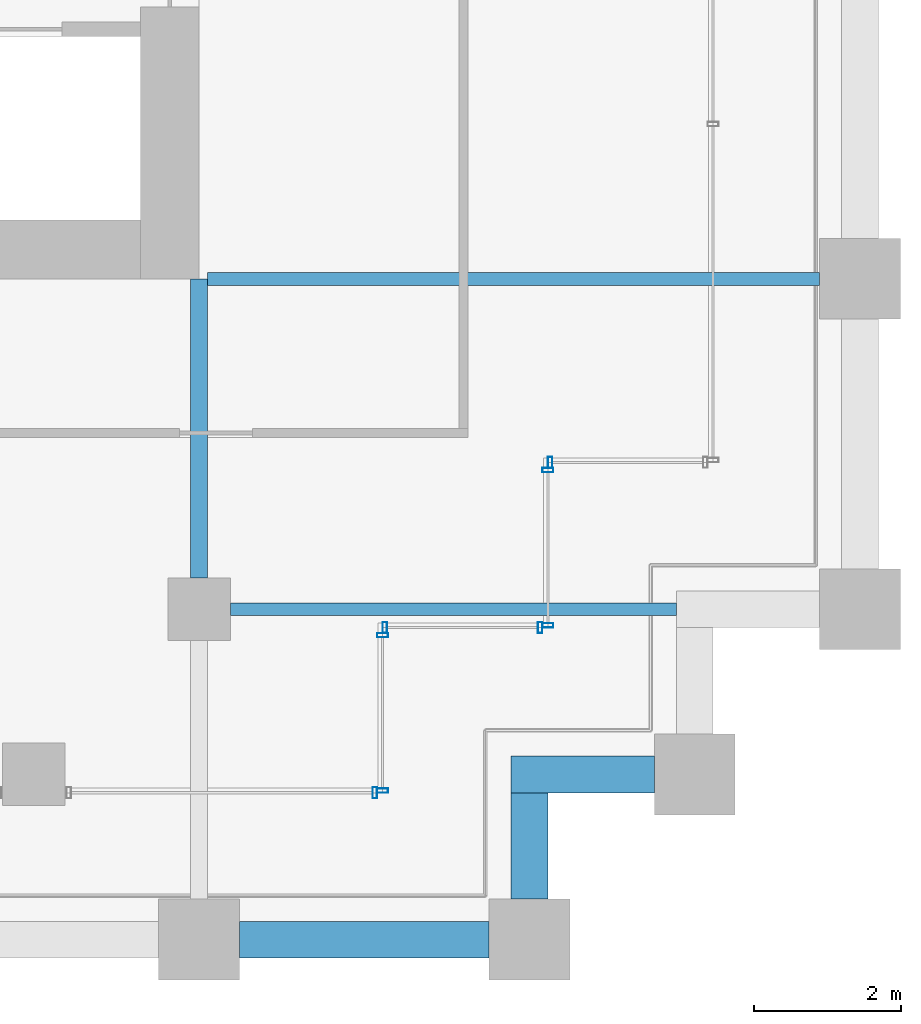
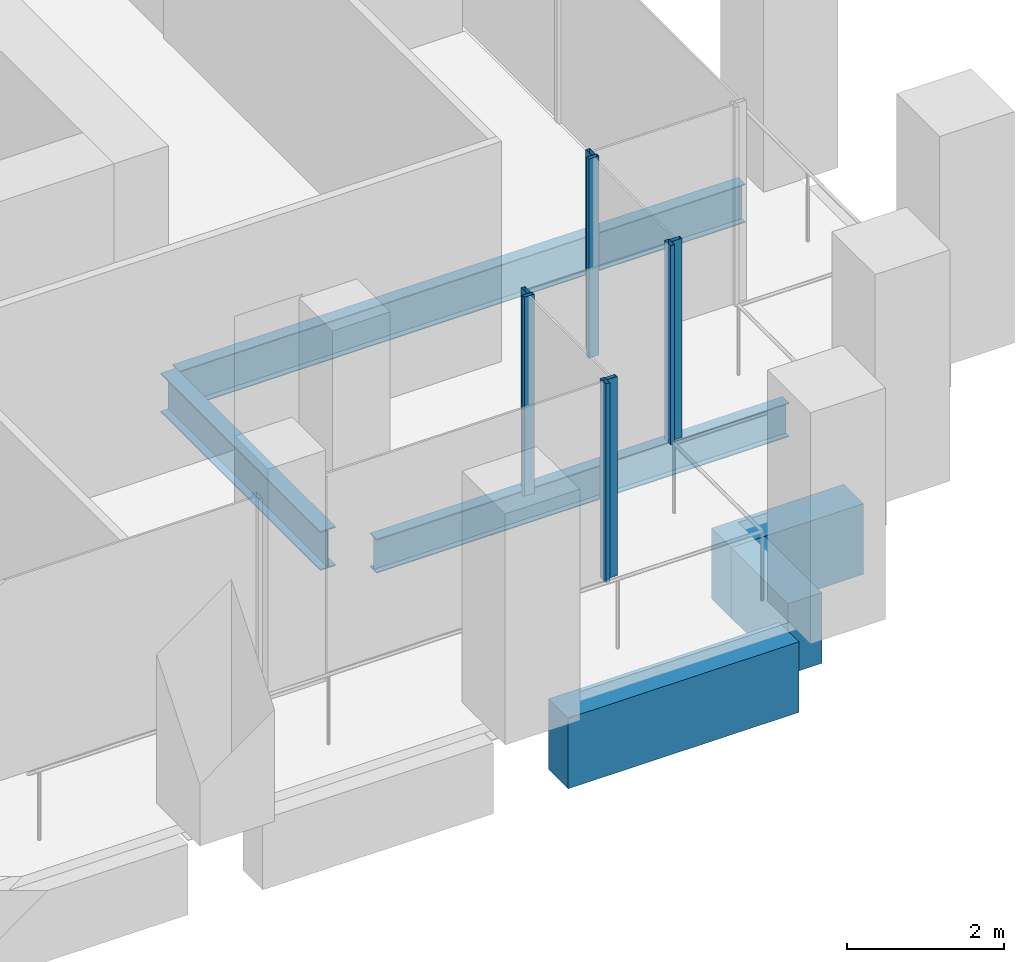
# One storey, part 38 of 56: 8 members, 6 beams, 5 elements without a shape of their own.
"""IFC4 building model written with IfcOpenShell, lengths in metres."""

from ifc_helpers import new_model, si_unit, direction, frame, origin, origin_2d, place, context, subcontext, project, spatial, rectangle, hollow_rectangle, i_section, extrude, material, material_profile, profile_set, type_object, element, aggregate, save


model = new_model("IFC4")

# Units and contexts
model_context = context("Model", 3, precision=1e-05, world=origin(), true_north=direction((0.0, 1.0)))
body_context = subcontext(model_context, "Body", "Model", "MODEL_VIEW")
ifc_project = project(units=[si_unit("LENGTHUNIT", "METRE"), si_unit("AREAUNIT", "SQUARE_METRE"), si_unit("VOLUMEUNIT", "CUBIC_METRE"), si_unit("PLANEANGLEUNIT", "RADIAN"), si_unit("MASSUNIT", "GRAM", prefix="KILO")], contexts=[model_context])

# Site, building, storey
site_placement = place(None, origin())
site = spatial("IfcSite", under=ifc_project, at=site_placement, CompositionType="ELEMENT")
building_placement = place(site_placement, origin())
building = spatial("IfcBuilding", under=site, at=building_placement, Name="Altepetl Exchange Towers", CompositionType="ELEMENT")
storey_placement = place(building_placement, frame((0.0, 0.0, 76.199951171875)))
storey = spatial("IfcBuildingStorey", under=building, at=storey_placement, Name="L18", CompositionType="ELEMENT", Elevation=76.199951171875)

# Beams
ifc_material_1 = material(Name="Steel S355", Category="steel")
ifc_material_profile_1 = material_profile(ifc_material_1, i_section(OverallWidth=0.166015625, OverallDepth=0.529052734375, WebThickness=0.009765625, FlangeThickness=0.013671875, at=origin_2d()), Name="W21X50")
ifc_profile_set_1 = profile_set([ifc_material_profile_1], Name="Steel S355")
beam_type_1 = type_object("IfcBeamType", Name="Floor beam W21X50", PredefinedType="BEAM", material=ifc_profile_set_1)
beam_1_placement = place(storey_placement, frame((117.425048828125, 31.5, -0.41455078125), z_axis=(1.0, 0.0, 0.0), x_axis=(0.0, 1.0, 0.0)))
element("IfcBeam", 1, at=beam_1_placement, inside=storey, type_object=beam_type_1, Name="bm:B:L18:004", PredefinedType="BEAM", context=body_context, shape_type="SweptSolid", body=[
    extrude(i_section(OverallWidth=0.166015625, OverallDepth=0.529052734375, WebThickness=0.009765625, FlangeThickness=0.013671875, at=origin_2d()), origin(), (0.0, 0.0, 1.0), 6.074951171875),
])
ifc_material_profile_2 = material_profile(ifc_material_1, i_section(OverallWidth=0.177978515625, OverallDepth=0.59912109375, WebThickness=0.010009765625, FlangeThickness=0.0126953125, at=origin_2d()), Name="W24X55")
ifc_profile_set_2 = profile_set([ifc_material_profile_2], Name="Steel S355")
beam_type_2 = type_object("IfcBeamType", Name="Floor beam W24X55", PredefinedType="BEAM", material=ifc_profile_set_2)
beam_2_placement = place(storey_placement, frame((117.114013671875, 36.0, -0.449462890625), z_axis=(1.0, 0.0, 0.0), x_axis=(0.0, 1.0, 0.0)))
element("IfcBeam", 2, at=beam_2_placement, inside=storey, type_object=beam_type_2, Name="bm:B:L18:005", PredefinedType="BEAM", context=body_context, shape_type="SweptSolid", body=[
    extrude(i_section(OverallWidth=0.177978515625, OverallDepth=0.59912109375, WebThickness=0.010009765625, FlangeThickness=0.0126953125, at=origin_2d()), origin(), (0.0, 0.0, 1.0), 8.3359375),
])
ifc_material_profile_3 = material_profile(ifc_material_1, i_section(OverallWidth=0.22802734375, OverallDepth=0.60791015625, WebThickness=0.01123046875, FlangeThickness=0.017333984375, at=origin_2d()), Name="W24X76")
ifc_profile_set_3 = profile_set([ifc_material_profile_3], Name="Steel S355")
beam_type_3 = type_object("IfcBeamType", Name="Girder W24X76", PredefinedType="BEAM", material=ifc_profile_set_3)
beam_3_placement = place(storey_placement, frame((117.0, 36.0, -0.453857421875), z_axis=(0.0, -1.0, 0.0), x_axis=(1.0, 0.0, 0.0)))
element("IfcBeam", 3, at=beam_3_placement, inside=storey, type_object=beam_type_3, Name="gd:B:L18:004", PredefinedType="BEAM", context=body_context, shape_type="SweptSolid", body=[
    extrude(i_section(OverallWidth=0.22802734375, OverallDepth=0.60791015625, WebThickness=0.01123046875, FlangeThickness=0.017333984375, at=origin_2d()), origin(), (0.0, 0.0, 1.0), 4.074951171875),
])

# Curtain wall, member
ifc_material_2 = material(Name="Aluminium 6063-T6 glazing", Category="aluminium")
curtain_wall_type = type_object("IfcCurtainWallType", Name="Loggia glazing system", PredefinedType="NOTDEFINED", material=ifc_material_2)
curtain_wall_1_placement = place(storey_placement, origin())
curtain_wall_1 = element("IfcCurtainWall", 4, at=curtain_wall_1_placement, inside=storey, type_object=curtain_wall_type, Name="CW1 run", PredefinedType="NOTDEFINED")
ifc_material_3 = material(Name="Aluminium 6063-T6", Category="aluminium")
ifc_material_profile_4 = material_profile(ifc_material_3, hollow_rectangle(XDim=0.06005859375, YDim=0.14990234375, WallThickness=0.0029296875, at=origin_2d()), Name="Mullion 60x150 aluminium")
ifc_profile_set_4 = profile_set([ifc_material_profile_4], Name="Aluminium 6063-T6")
member_type = type_object("IfcMemberType", Name="Mullion 60x150 aluminium", PredefinedType="MULLION", material=ifc_profile_set_4)
member_1_placement = place(storey_placement, frame((119.39501953125, 29.0, 0.0)))
member_1 = element("IfcMember", 5, at=member_1_placement, type_object=member_type, Name="MU1 mullion", PredefinedType="MULLION", context=body_context, shape_type="SweptSolid", body=[
    extrude(hollow_rectangle(XDim=0.06005859375, YDim=0.14990234375, WallThickness=0.0029296875, at=origin_2d()), origin(), (0.0, 0.0, 1.0), 3.10009765625),
])
aggregate(curtain_wall_1, [member_1])

# Curtain wall, members
curtain_wall_2_placement = place(storey_placement, origin())
curtain_wall_2 = element("IfcCurtainWall", 6, at=curtain_wall_2_placement, inside=storey, type_object=curtain_wall_type, Name="CW1 run", PredefinedType="NOTDEFINED")
member_2_placement = place(storey_placement, frame((119.5, 29.030029296875, 0.0), z_axis=(0.0, 0.0, 1.0), x_axis=(0.0, 1.0, 0.0)))
member_2 = element("IfcMember", 7, at=member_2_placement, type_object=member_type, Name="MU1 mullion", PredefinedType="MULLION", context=body_context, shape_type="SweptSolid", body=[
    extrude(hollow_rectangle(XDim=0.06005859375, YDim=0.14990234375, WallThickness=0.0029296875, at=origin_2d()), origin(), (0.0, 0.0, 1.0), 3.10009765625),
])
member_3_placement = place(storey_placement, frame((119.5, 31.14501953125, 0.0), z_axis=(0.0, 0.0, 1.0), x_axis=(0.0, 1.0, 0.0)))
member_3 = element("IfcMember", 8, at=member_3_placement, type_object=member_type, Name="MU1 mullion", PredefinedType="MULLION", context=body_context, shape_type="SweptSolid", body=[
    extrude(hollow_rectangle(XDim=0.06005859375, YDim=0.14990234375, WallThickness=0.0029296875, at=origin_2d()), origin(), (0.0, 0.0, 1.0), 3.10009765625),
])
aggregate(curtain_wall_2, [member_2, member_3])

curtain_wall_3_placement = place(storey_placement, origin())
curtain_wall_3 = element("IfcCurtainWall", 9, at=curtain_wall_3_placement, inside=storey, type_object=curtain_wall_type, Name="CW1 run", PredefinedType="NOTDEFINED")
member_4_placement = place(storey_placement, frame((119.530029296875, 31.25, 0.0)))
member_4 = element("IfcMember", 10, at=member_4_placement, type_object=member_type, Name="MU1 mullion", PredefinedType="MULLION", context=body_context, shape_type="SweptSolid", body=[
    extrude(hollow_rectangle(XDim=0.06005859375, YDim=0.14990234375, WallThickness=0.0029296875, at=origin_2d()), origin(), (0.0, 0.0, 1.0), 3.10009765625),
])
member_5_placement = place(storey_placement, frame((121.64501953125, 31.25, 0.0)))
member_5 = element("IfcMember", 11, at=member_5_placement, type_object=member_type, Name="MU1 mullion", PredefinedType="MULLION", context=body_context, shape_type="SweptSolid", body=[
    extrude(hollow_rectangle(XDim=0.06005859375, YDim=0.14990234375, WallThickness=0.0029296875, at=origin_2d()), origin(), (0.0, 0.0, 1.0), 3.10009765625),
])
aggregate(curtain_wall_3, [member_4, member_5])

curtain_wall_4_placement = place(storey_placement, origin())
curtain_wall_4 = element("IfcCurtainWall", 12, at=curtain_wall_4_placement, inside=storey, type_object=curtain_wall_type, Name="CW1 run", PredefinedType="NOTDEFINED")
member_6_placement = place(storey_placement, frame((121.75, 31.280029296875, 0.0), z_axis=(0.0, 0.0, 1.0), x_axis=(0.0, 1.0, 0.0)))
member_6 = element("IfcMember", 13, at=member_6_placement, type_object=member_type, Name="MU1 mullion", PredefinedType="MULLION", context=body_context, shape_type="SweptSolid", body=[
    extrude(hollow_rectangle(XDim=0.06005859375, YDim=0.14990234375, WallThickness=0.0029296875, at=origin_2d()), origin(), (0.0, 0.0, 1.0), 3.10009765625),
])
member_7_placement = place(storey_placement, frame((121.75, 33.39501953125, 0.0), z_axis=(0.0, 0.0, 1.0), x_axis=(0.0, 1.0, 0.0)))
member_7 = element("IfcMember", 14, at=member_7_placement, type_object=member_type, Name="MU1 mullion", PredefinedType="MULLION", context=body_context, shape_type="SweptSolid", body=[
    extrude(hollow_rectangle(XDim=0.06005859375, YDim=0.14990234375, WallThickness=0.0029296875, at=origin_2d()), origin(), (0.0, 0.0, 1.0), 3.10009765625),
])
aggregate(curtain_wall_4, [member_6, member_7])

# Curtain wall, member
curtain_wall_5_placement = place(storey_placement, origin())
curtain_wall_5 = element("IfcCurtainWall", 15, at=curtain_wall_5_placement, inside=storey, type_object=curtain_wall_type, Name="CW1 run", PredefinedType="NOTDEFINED")
member_8_placement = place(storey_placement, frame((121.780029296875, 33.5, 0.0)))
member_8 = element("IfcMember", 16, at=member_8_placement, type_object=member_type, Name="MU1 mullion", PredefinedType="MULLION", context=body_context, shape_type="SweptSolid", body=[
    extrude(hollow_rectangle(XDim=0.06005859375, YDim=0.14990234375, WallThickness=0.0029296875, at=origin_2d()), origin(), (0.0, 0.0, 1.0), 3.10009765625),
])
aggregate(curtain_wall_5, [member_8])

# Beams
ifc_material_4 = material(Name="Concrete C50/60 precast with cantera blanca facing", Category="concrete")
ifc_material_profile_5 = material_profile(ifc_material_4, rectangle(XDim=0.5, YDim=1.10009765625, at=origin_2d()), Name="500 x 1100")
ifc_profile_set_5 = profile_set([ifc_material_profile_5], Name="Concrete C50/60 precast with cantera blanca facing")
beam_type_4 = type_object("IfcBeamType", Name="Spandrel beam 500x1100 cantera blanca", PredefinedType="SPANDREL", material=ifc_profile_set_5)
beam_4_placement = place(storey_placement, frame((117.550048828125, 27.0, -0.699951171875), z_axis=(1.0, 0.0, 0.0), x_axis=(0.0, 1.0, 0.0)))
element("IfcBeam", 17, at=beam_4_placement, inside=storey, type_object=beam_type_4, Name="sp:B:L18:004", PredefinedType="SPANDREL", context=body_context, shape_type="SweptSolid", body=[
    extrude(rectangle(XDim=0.5, YDim=1.10009765625, at=origin_2d()), origin(), (0.0, 0.0, 1.0), 3.39990234375),
])
beam_5_placement = place(storey_placement, frame((121.5, 27.550048828125, -0.699951171875), z_axis=(0.0, 1.0, 0.0), x_axis=(-1.0, 0.0, 0.0)))
element("IfcBeam", 18, at=beam_5_placement, inside=storey, type_object=beam_type_4, Name="sp:B:L18:005", PredefinedType="SPANDREL", context=body_context, shape_type="SweptSolid", body=[
    extrude(rectangle(XDim=0.5, YDim=1.10009765625, at=origin_2d()), origin(), (0.0, 0.0, 1.0), 1.449951171875),
])
beam_6_placement = place(storey_placement, frame((121.25, 29.25, -0.699951171875), z_axis=(1.0, 0.0, 0.0), x_axis=(0.0, 1.0, 0.0)))
element("IfcBeam", 19, at=beam_6_placement, inside=storey, type_object=beam_type_4, Name="sp:B:L18:006", PredefinedType="SPANDREL", context=body_context, shape_type="SweptSolid", body=[
    extrude(rectangle(XDim=0.5, YDim=1.10009765625, at=origin_2d()), origin(), (0.0, 0.0, 1.0), 1.949951171875),
])

save(model, "model.ifc")
